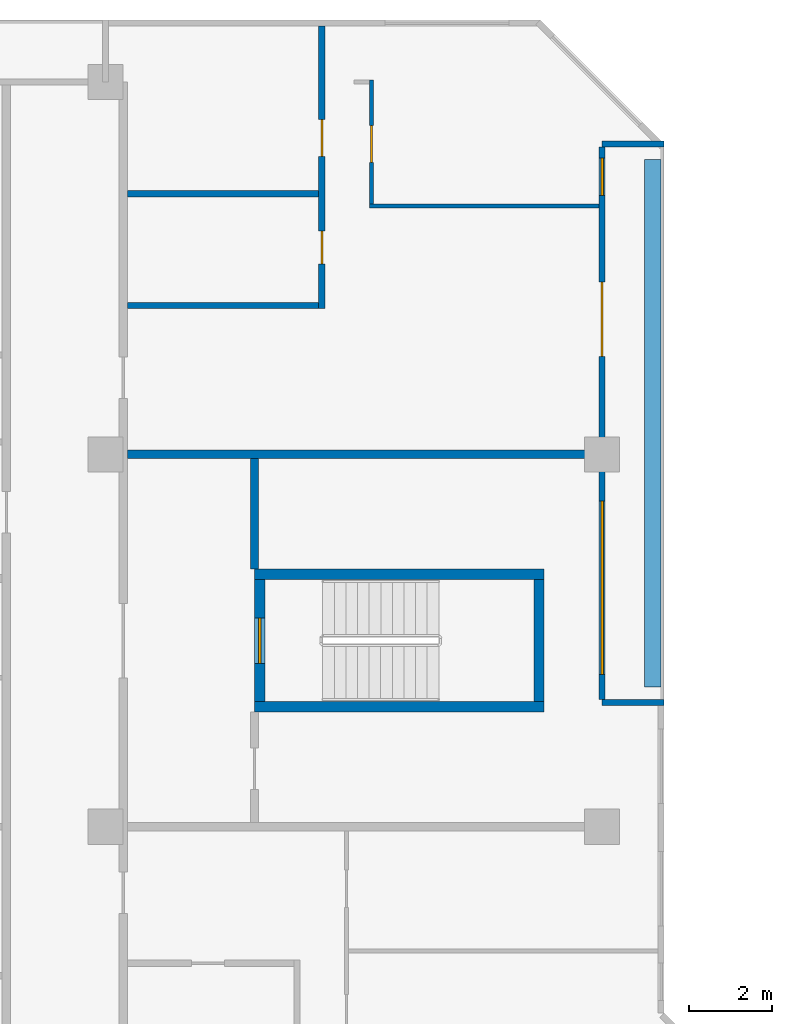
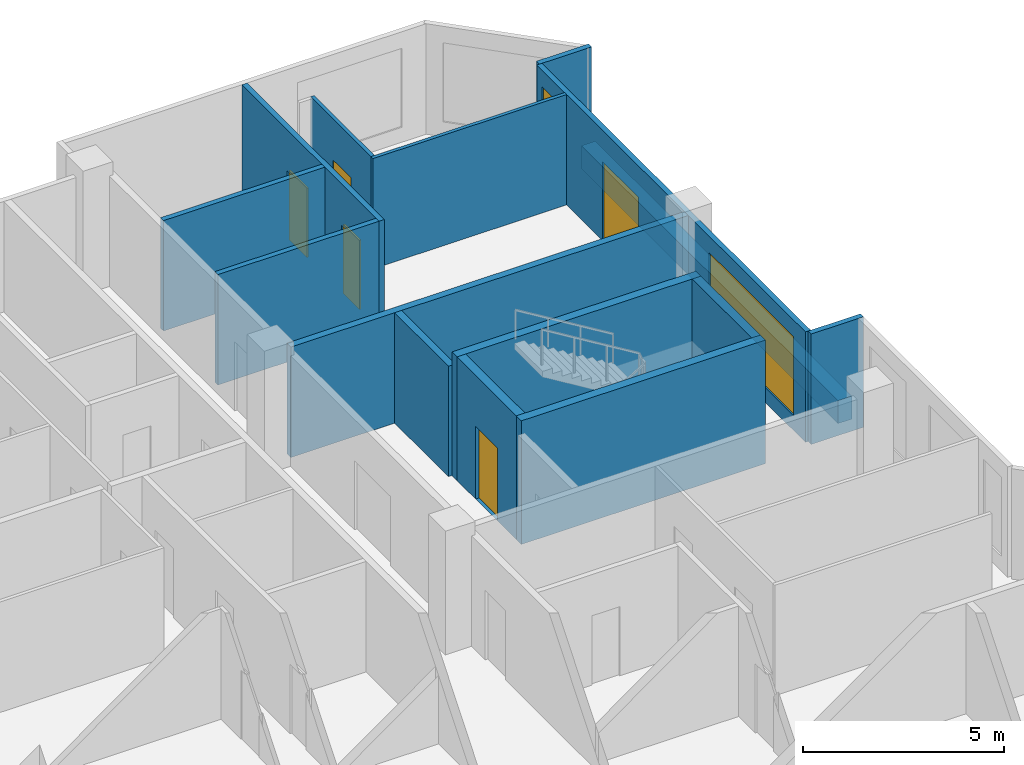
# One storey, part 11 of 16: 15 walls, 5 doors, 2 windows, 7 openings.
"""IFC4 building model written with IfcOpenShell, lengths in metres."""

from ifc_helpers import new_model, si_unit, direction, frame, frame_2d, origin, place, context, subcontext, project, spatial, rectangle, extrude, material, layer, layer_set, type_object, element, fill, save


model = new_model("IFC4")

# Units and contexts
model_context = context("Model", 3, precision=1e-05, world=origin(), true_north=direction((0.0, 1.0)))
body_context = subcontext(model_context, "Body", "Model", "MODEL_VIEW")
ifc_project = project(units=[si_unit("LENGTHUNIT", "METRE"), si_unit("AREAUNIT", "SQUARE_METRE"), si_unit("VOLUMEUNIT", "CUBIC_METRE"), si_unit("PLANEANGLEUNIT", "RADIAN"), si_unit("MASSUNIT", "GRAM", prefix="KILO")], contexts=[model_context])

# Site, building, storey
site_placement = place(None, origin())
site = spatial("IfcSite", under=ifc_project, at=site_placement, CompositionType="ELEMENT")
building_placement = place(site_placement, origin())
building = spatial("IfcBuilding", under=site, at=building_placement, Name="Chenar Terraces", CompositionType="ELEMENT")
storey_placement = place(building_placement, frame((0.0, 0.0, 222.89990234375)))
storey = spatial("IfcBuildingStorey", under=building, at=storey_placement, Name="L52", CompositionType="ELEMENT", Elevation=222.89990234375)

# Walls
ifc_material_1 = material(Name="Concrete C60/75", Category="concrete")
ifc_layer_1 = layer(ifc_material_1, 0.25)
ifc_layer_set_1 = layer_set([ifc_layer_1], Name="Concrete C60/75")
wall_type_1 = type_object("IfcWallType", Name="Core wall 250 Concrete C60/75", PredefinedType="SHEAR", material=ifc_layer_set_1)
for number, where, z_axis, x_axis, name in (
    (1, (15.60009765625, 47.89990234375, 0.0), (0.0, 0.0, 1.0), (1.0, 0.0, 0.0), "Core wall ST4_S L52"),
    (2, (15.60009765625, 51.10009765625, 0.0), (0.0, 0.0, 1.0), (1.0, 0.0, 0.0), "Core wall ST4_N L52"),
):
    element("IfcWall", number, at=place(storey_placement, frame(where, z_axis=z_axis, x_axis=x_axis)), inside=storey, type_object=wall_type_1, Name=name, PredefinedType="SHEAR", context=body_context, shape_type="SweptSolid", body=[
        extrude(rectangle(XDim=7.0, YDim=0.25, at=frame_2d((3.5, 0.0))), origin(), (0.0, 0.0, 1.0), 3.75),
    ])

# Wall, opening, door
wall_1_placement = place(storey_placement, frame((15.72509765625, 48.02490234375, 0.0), z_axis=(0.0, 0.0, 1.0), x_axis=(0.0, 1.0, 0.0)))
wall_1 = element("IfcWall", 3, at=wall_1_placement, inside=storey, type_object=wall_type_1, Name="Core wall ST4_W L52", PredefinedType="SHEAR", context=body_context, shape_type="SweptSolid", body=[
    extrude(rectangle(XDim=2.9501953125, YDim=0.25, at=frame_2d((1.47509765625, 0.0))), origin(), (0.0, 0.0, 1.0), 3.75),
])
opening_1_placement = place(wall_1_placement, frame((0.925048828125, 0.0, 0.0)))
opening_1 = element("IfcOpeningElement", 4, at=opening_1_placement, cuts=wall_1, Name="Opening DL52-C9", PredefinedType="OPENING", context=body_context, shape_type="SweptSolid", body=[
    extrude(rectangle(XDim=1.10009765625, YDim=2.199951171875, at=frame_2d((0.550048828125, 1.10009765625))), frame((0.0, 0.135009765625, 0.0), z_axis=(0.0, -1.0, 0.0), x_axis=(1.0, 0.0, 0.0)), (0.0, 0.0, 1.0), 0.27001953125),
])
ifc_material_2 = material(Name="Steel-framed fire-resisting door leaf", Category="steel")
door_type_1 = type_object("IfcDoorType", Name="Stair fire door FD60 1100 x 2200", OperationType="SINGLE_SWING_LEFT", PredefinedType="DOOR", material=ifc_material_2)
door_1_placement = place(opening_1_placement, frame((1.10009765625, 0.0, 0.0), z_axis=(0.0, 0.0, 1.0), x_axis=(-1.0, 0.0, 0.0)))
door_1 = element("IfcDoor", 5, at=door_1_placement, inside=storey, type_object=door_type_1, Name="Stair door DL52-C9", OperationType="SINGLE_SWING_RIGHT", OverallHeight=2.199951171875, OverallWidth=1.10009765625, PredefinedType="DOOR", context=body_context, shape_type="SweptSolid", body=[
    extrude(rectangle(XDim=1.10009765625, YDim=2.199951171875, at=frame_2d((0.550048828125, 1.10009765625))), frame((0.0, 0.02490234375, 0.0), z_axis=(0.0, -1.0, 0.0), x_axis=(1.0, 0.0, 0.0)), (0.0, 0.0, 1.0), 0.050048828125),
])
fill(opening_1, door_1)

# Walls
wall_2_placement = place(storey_placement, frame((22.47509765625, 48.02490234375, 0.0), z_axis=(0.0, 0.0, 1.0), x_axis=(0.0, 1.0, 0.0)))
element("IfcWall", 6, at=wall_2_placement, inside=storey, type_object=wall_type_1, Name="Core wall ST4_E L52", PredefinedType="SHEAR", context=body_context, shape_type="SweptSolid", body=[
    extrude(rectangle(XDim=2.9501953125, YDim=0.25, at=frame_2d((1.47509765625, 0.0))), origin(), (0.0, 0.0, 1.0), 3.75),
])
ifc_material_3 = material(Name="Gypsum board on steel studs with fire boards", Category="steel")
ifc_layer_2 = layer(ifc_material_3, 0.199951171875)
ifc_layer_set_2 = layer_set([ifc_layer_2], Name="Gypsum board on steel studs with fire boards")
wall_type_2 = type_object("IfcWallType", Name="Corridor wall 200", PredefinedType="PARTITIONING", material=ifc_layer_set_2)
wall_3_placement = place(storey_placement, frame((15.60009765625, 51.22509765625, 0.0), z_axis=(0.0, 0.0, 1.0), x_axis=(0.0, 1.0, 0.0)))
element("IfcWall", 7, at=wall_3_placement, inside=storey, type_object=wall_type_2, Name="Partition L52-048", PredefinedType="PARTITIONING", context=body_context, shape_type="SweptSolid", body=[
    extrude(rectangle(XDim=2.6748046875, YDim=0.199951171875, at=frame_2d((1.33740234375, 0.0))), origin(), (0.0, 0.0, 1.0), 3.35009765625),
])

# Wall, openings, windows, door
ifc_material_4 = material(Name="Aluminium framed glazing", Category="aluminium")
ifc_layer_3 = layer(ifc_material_4, 0.14990234375)
ifc_layer_set_3 = layer_set([ifc_layer_3], Name="Aluminium framed glazing")
wall_type_3 = type_object("IfcWallType", Name="Glazed loggia back wall 150", PredefinedType="SOLIDWALL", material=ifc_layer_set_3)
wall_4_placement = place(storey_placement, frame((24.0, 48.074951171875, 0.0), z_axis=(0.0, 0.0, 1.0), x_axis=(0.0, 1.0, 0.0)))
wall_4 = element("IfcWall", 8, at=wall_4_placement, inside=storey, type_object=wall_type_3, Name="Glazed loggia back wall", PredefinedType="SOLIDWALL", context=body_context, shape_type="SweptSolid", body=[
    extrude(rectangle(XDim=13.35009765625, YDim=0.14990234375, at=frame_2d((6.675048828125, 0.0))), origin(), (0.0, 0.0, 1.0), 3.35009765625),
])
opening_2_placement = place(wall_4_placement, frame((0.60009765625, 0.0, 0.449951171875)))
opening_2 = element("IfcOpeningElement", 9, at=opening_2_placement, cuts=wall_4, Name="Opening W420x240", PredefinedType="OPENING", context=body_context, shape_type="SweptSolid", body=[
    extrude(rectangle(XDim=4.199951171875, YDim=2.39990234375, at=frame_2d((2.10009765625, 1.199951171875))), frame((0.0, 0.0849609375, 0.0), z_axis=(0.0, -1.0, 0.0), x_axis=(1.0, 0.0, 0.0)), (0.0, 0.0, 1.0), 0.169921875),
])
opening_3_placement = place(wall_4_placement, frame((8.28759765625, 0.0, 0.0)))
opening_3 = element("IfcOpeningElement", 10, at=opening_3_placement, cuts=wall_4, Name="Opening DL52-G2", PredefinedType="OPENING", context=body_context, shape_type="SweptSolid", body=[
    extrude(rectangle(XDim=1.800048828125, YDim=2.39990234375, at=frame_2d((0.89990234375, 1.199951171875))), frame((0.0, 0.0849609375, 0.0), z_axis=(0.0, -1.0, 0.0), x_axis=(1.0, 0.0, 0.0)), (0.0, 0.0, 1.0), 0.169921875),
])
opening_4_placement = place(wall_4_placement, frame((12.1875, 0.0, 0.449951171875)))
opening_4 = element("IfcOpeningElement", 11, at=opening_4_placement, cuts=wall_4, Name="Opening W90x240", PredefinedType="OPENING", context=body_context, shape_type="SweptSolid", body=[
    extrude(rectangle(XDim=0.89990234375, YDim=2.39990234375, at=frame_2d((0.449951171875, 1.199951171875))), frame((0.0, 0.0849609375, 0.0), z_axis=(0.0, -1.0, 0.0), x_axis=(1.0, 0.0, 0.0)), (0.0, 0.0, 1.0), 0.169921875),
])
ifc_material_5 = material(Name="Low emissivity double glazing, aluminium frame", Category="aluminium")
window_type_1 = type_object("IfcWindowType", Name="Fixed light 4200 x 2400", PartitioningType="SINGLE_PANEL", PredefinedType="WINDOW", material=ifc_material_5)
window_1_placement = place(opening_2_placement, origin())
window_1 = element("IfcWindow", 12, at=window_1_placement, inside=storey, type_object=window_type_1, Name="Window", OverallHeight=2.39990234375, OverallWidth=4.199951171875, PartitioningType="SINGLE_PANEL", PredefinedType="WINDOW", context=body_context, shape_type="SweptSolid", body=[
    extrude(rectangle(XDim=4.199951171875, YDim=2.39990234375, at=frame_2d((2.10009765625, 1.199951171875))), frame((0.0, 0.030029296875, 0.0), z_axis=(0.0, -1.0, 0.0), x_axis=(1.0, 0.0, 0.0)), (0.0, 0.0, 1.0), 0.06005859375),
])
fill(opening_2, window_1)
ifc_material_6 = material(Name="Low emissivity double glazing, aluminium frame", Category="aluminium")
window_type_2 = type_object("IfcWindowType", Name="Fixed light 900 x 2400", PartitioningType="SINGLE_PANEL", PredefinedType="WINDOW", material=ifc_material_6)
window_2_placement = place(opening_4_placement, origin())
window_2 = element("IfcWindow", 13, at=window_2_placement, inside=storey, type_object=window_type_2, Name="Window", OverallHeight=2.39990234375, OverallWidth=0.89990234375, PartitioningType="SINGLE_PANEL", PredefinedType="WINDOW", context=body_context, shape_type="SweptSolid", body=[
    extrude(rectangle(XDim=0.89990234375, YDim=2.39990234375, at=frame_2d((0.449951171875, 1.199951171875))), frame((0.0, 0.030029296875, 0.0), z_axis=(0.0, -1.0, 0.0), x_axis=(1.0, 0.0, 0.0)), (0.0, 0.0, 1.0), 0.06005859375),
])
fill(opening_4, window_2)
ifc_material_7 = material(Name="Low emissivity double glazing, aluminium frame", Category="aluminium")
door_type_2 = type_object("IfcDoorType", Name="Loggia glazed double door 1800 x 2400", OperationType="DOUBLE_DOOR_SINGLE_SWING", PredefinedType="DOOR", material=ifc_material_7)
door_2_placement = place(opening_3_placement, frame((1.800048828125, 0.0, 0.0), z_axis=(0.0, 0.0, 1.0), x_axis=(-1.0, 0.0, 0.0)))
door_2 = element("IfcDoor", 14, at=door_2_placement, inside=storey, type_object=door_type_2, Name="Loggia glazed door", OperationType="DOUBLE_DOOR_SINGLE_SWING", OverallHeight=2.39990234375, OverallWidth=1.800048828125, PredefinedType="DOOR", context=body_context, shape_type="SweptSolid", body=[
    extrude(rectangle(XDim=1.800048828125, YDim=2.39990234375, at=frame_2d((0.89990234375, 1.199951171875))), frame((0.0, 0.02490234375, 0.0), z_axis=(0.0, -1.0, 0.0), x_axis=(1.0, 0.0, 0.0)), (0.0, 0.0, 1.0), 0.050048828125),
])
fill(opening_3, door_2)

# Wall
ifc_material_8 = material(Name="Gypsum board on steel studs", Category="steel")
ifc_layer_4 = layer(ifc_material_8, 0.10009765625)
ifc_layer_set_4 = layer_set([ifc_layer_4], Name="Gypsum board on steel studs")
wall_type_4 = type_object("IfcWallType", Name="Gypsum partition 100", PredefinedType="PARTITIONING", material=ifc_layer_set_4)
wall_5_placement = place(storey_placement, frame((18.375, 60.0, 0.0), z_axis=(0.0, 0.0, 1.0), x_axis=(1.0, 0.0, 0.0)))
element("IfcWall", 15, at=wall_5_placement, inside=storey, type_object=wall_type_4, Name="Partition L52-056", PredefinedType="PARTITIONING", context=body_context, shape_type="SweptSolid", body=[
    extrude(rectangle(XDim=5.551025390625, YDim=0.10009765625, at=frame_2d((2.775390625, 0.0))), origin(), (0.0, 0.0, 1.0), 3.35009765625),
])

# Wall, opening, door
wall_6_placement = place(storey_placement, frame((18.425048828125, 60.050048828125, 0.0), z_axis=(0.0, 0.0, 1.0), x_axis=(0.0, 1.0, 0.0)))
wall_6 = element("IfcWall", 16, at=wall_6_placement, inside=storey, type_object=wall_type_4, Name="Partition L52-057", PredefinedType="PARTITIONING", context=body_context, shape_type="SweptSolid", body=[
    extrude(rectangle(XDim=3.0, YDim=0.10009765625, at=frame_2d((1.5, 0.0))), origin(), (0.0, 0.0, 1.0), 3.35009765625),
])
opening_5_placement = place(wall_6_placement, frame((1.0, 0.0, 0.0)))
opening_5 = element("IfcOpeningElement", 17, at=opening_5_placement, cuts=wall_6, Name="Opening DL52-20", PredefinedType="OPENING", context=body_context, shape_type="SweptSolid", body=[
    extrude(rectangle(XDim=0.89990234375, YDim=2.10009765625, at=frame_2d((0.449951171875, 1.050048828125))), frame((0.0, 0.06005859375, 0.0), z_axis=(0.0, -1.0, 0.0), x_axis=(1.0, 0.0, 0.0)), (0.0, 0.0, 1.0), 0.1201171875),
])
ifc_material_9 = material(Name="Veneered timber door leaf", Category="wood")
door_type_3 = type_object("IfcDoorType", Name="Door 900 x 2100", OperationType="SINGLE_SWING_LEFT", PredefinedType="DOOR", material=ifc_material_9)
door_3_placement = place(opening_5_placement, frame((0.89990234375, 0.0, 0.0), z_axis=(0.0, 0.0, 1.0), x_axis=(-1.0, 0.0, 0.0)))
door_3 = element("IfcDoor", 18, at=door_3_placement, inside=storey, type_object=door_type_3, Name="Door DL52-20", OperationType="SINGLE_SWING_RIGHT", OverallHeight=2.10009765625, OverallWidth=0.89990234375, PredefinedType="DOOR", context=body_context, shape_type="SweptSolid", body=[
    extrude(rectangle(XDim=0.89990234375, YDim=2.10009765625, at=frame_2d((0.449951171875, 1.050048828125))), frame((0.0, 0.02490234375, 0.0), z_axis=(0.0, -1.0, 0.0), x_axis=(1.0, 0.0, 0.0)), (0.0, 0.0, 1.0), 0.050048828125),
])
fill(opening_5, door_3)

# Walls
ifc_material_10 = material(Name="Terracotta cladding on insulated backing", Category="masonry")
ifc_layer_5 = layer(ifc_material_10, 0.14990234375)
ifc_layer_set_5 = layer_set([ifc_layer_5], Name="Terracotta cladding on insulated backing")
wall_type_5 = type_object("IfcWallType", Name="Loggia return wall 150", PredefinedType="SOLIDWALL", material=ifc_layer_set_5)
for number, where, z_axis, x_axis, name in (
    (19, (25.5, 48.0, 0.0), (0.0, 0.0, 1.0), (-1.0, 0.0, 0.0), "Loggia return wall"),
    (20, (25.5, 61.5, 0.0), (0.0, 0.0, 1.0), (-1.0, 0.0, 0.0), "Loggia return wall"),
):
    element("IfcWall", number, at=place(storey_placement, frame(where, z_axis=z_axis, x_axis=x_axis)), inside=storey, type_object=wall_type_5, Name=name, PredefinedType="SOLIDWALL", context=body_context, shape_type="SweptSolid", body=[
        extrude(rectangle(XDim=1.5, YDim=0.14990234375, at=frame_2d((0.75, 0.0))), origin(), (0.0, 0.0, 1.0), 3.35009765625),
    ])
ifc_material_11 = material(Name="Twin gypsum board on steel studs with mineral wool", Category="steel")
ifc_layer_6 = layer(ifc_material_11, 0.199951171875)
ifc_layer_set_6 = layer_set([ifc_layer_6], Name="Twin gypsum board on steel studs with mineral wool")
wall_type_6 = type_object("IfcWallType", Name="Unit demising wall 200", PredefinedType="PARTITIONING", material=ifc_layer_set_6)
wall_7_placement = place(storey_placement, frame((12.52490234375, 54.0, 0.0), z_axis=(0.0, 0.0, 1.0), x_axis=(1.0, 0.0, 0.0)))
element("IfcWall", 21, at=wall_7_placement, inside=storey, type_object=wall_type_6, Name="Partition L52-043", PredefinedType="PARTITIONING", context=body_context, shape_type="SweptSolid", body=[
    extrude(rectangle(XDim=11.401123046875, YDim=0.199951171875, at=frame_2d((5.70068359375, 0.0))), origin(), (0.0, 0.0, 1.0), 3.35009765625),
])
ifc_material_12 = material(Name="GRP planter trough")
ifc_layer_7 = layer(ifc_material_12, 0.39990234375)
ifc_layer_set_7 = layer_set([ifc_layer_7], Name="GRP planter trough")
wall_type_7 = type_object("IfcWallType", Name="Vertical greenery planter 400", PredefinedType="SOLIDWALL", material=ifc_layer_set_7)
wall_8_placement = place(storey_placement, frame((25.22900390625, 48.375, 0.0), z_axis=(0.0, 0.0, 1.0), x_axis=(0.0, 1.0, 0.0)))
element("IfcWall", 22, at=wall_8_placement, inside=storey, type_object=wall_type_7, Name="Vertical greenery planter", PredefinedType="SOLIDWALL", context=body_context, shape_type="SweptSolid", body=[
    extrude(rectangle(XDim=12.75, YDim=0.39990234375, at=frame_2d((6.375, 0.0))), origin(), (0.0, 0.0, 1.0), 0.7001953125),
])
ifc_material_13 = material(Name="Moisture-resistant gypsum board on steel studs", Category="steel")
ifc_layer_8 = layer(ifc_material_13, 0.14990234375)
ifc_layer_set_8 = layer_set([ifc_layer_8], Name="Moisture-resistant gypsum board on steel studs")
wall_type_8 = type_object("IfcWallType", Name="Wet-room partition 150", PredefinedType="PARTITIONING", material=ifc_layer_set_8)
for number, where, z_axis, x_axis, name in (
    (23, (12.52490234375, 57.60009765625, 0.0), (0.0, 0.0, 1.0), (1.0, 0.0, 0.0), "Partition L52-044"),
    (24, (12.52490234375, 60.300048828125, 0.0), (0.0, 0.0, 1.0), (1.0, 0.0, 0.0), "Partition L52-045"),
):
    element("IfcWall", number, at=place(storey_placement, frame(where, z_axis=z_axis, x_axis=x_axis)), inside=storey, type_object=wall_type_8, Name=name, PredefinedType="PARTITIONING", context=body_context, shape_type="SweptSolid", body=[
        extrude(rectangle(XDim=4.625, YDim=0.14990234375, at=frame_2d((2.3125, 0.0))), origin(), (0.0, 0.0, 1.0), 3.35009765625),
    ])

# Wall, openings, doors
wall_9_placement = place(storey_placement, frame((17.22509765625, 57.52490234375, 0.0), z_axis=(0.0, 0.0, 1.0), x_axis=(0.0, 1.0, 0.0)))
wall_9 = element("IfcWall", 25, at=wall_9_placement, inside=storey, type_object=wall_type_8, Name="Partition L52-050", PredefinedType="PARTITIONING", context=body_context, shape_type="SweptSolid", body=[
    extrude(rectangle(XDim=6.8251953125, YDim=0.14990234375, at=frame_2d((3.41259765625, 0.0))), origin(), (0.0, 0.0, 1.0), 3.35009765625),
])
opening_6_placement = place(wall_9_placement, frame((1.074951171875, 0.0, 0.0)))
opening_6 = element("IfcOpeningElement", 26, at=opening_6_placement, cuts=wall_9, Name="Opening DL52-19", PredefinedType="OPENING", context=body_context, shape_type="SweptSolid", body=[
    extrude(rectangle(XDim=0.800048828125, YDim=2.10009765625, at=frame_2d((0.39990234375, 1.050048828125))), frame((0.0, 0.0849609375, 0.0), z_axis=(0.0, -1.0, 0.0), x_axis=(1.0, 0.0, 0.0)), (0.0, 0.0, 1.0), 0.169921875),
])
opening_7_placement = place(wall_9_placement, frame((3.675048828125, 0.0, 0.0)))
opening_7 = element("IfcOpeningElement", 27, at=opening_7_placement, cuts=wall_9, Name="Opening DL52-21", PredefinedType="OPENING", context=body_context, shape_type="SweptSolid", body=[
    extrude(rectangle(XDim=0.89990234375, YDim=2.10009765625, at=frame_2d((0.449951171875, 1.050048828125))), frame((0.0, 0.0849609375, 0.0), z_axis=(0.0, -1.0, 0.0), x_axis=(1.0, 0.0, 0.0)), (0.0, 0.0, 1.0), 0.169921875),
])
ifc_material_14 = material(Name="Veneered timber door leaf", Category="wood")
door_type_4 = type_object("IfcDoorType", Name="Door 800 x 2100", OperationType="SINGLE_SWING_LEFT", PredefinedType="DOOR", material=ifc_material_14)
door_4_placement = place(opening_6_placement, origin())
door_4 = element("IfcDoor", 28, at=door_4_placement, inside=storey, type_object=door_type_4, Name="Door DL52-19", OperationType="SINGLE_SWING_RIGHT", OverallHeight=2.10009765625, OverallWidth=0.800048828125, PredefinedType="DOOR", context=body_context, shape_type="SweptSolid", body=[
    extrude(rectangle(XDim=0.800048828125, YDim=2.10009765625, at=frame_2d((0.39990234375, 1.050048828125))), frame((0.0, 0.02490234375, 0.0), z_axis=(0.0, -1.0, 0.0), x_axis=(1.0, 0.0, 0.0)), (0.0, 0.0, 1.0), 0.050048828125),
])
fill(opening_6, door_4)
door_5_placement = place(opening_7_placement, origin())
door_5 = element("IfcDoor", 29, at=door_5_placement, inside=storey, type_object=door_type_3, Name="Door DL52-21", OperationType="SINGLE_SWING_LEFT", OverallHeight=2.10009765625, OverallWidth=0.89990234375, PredefinedType="DOOR", context=body_context, shape_type="SweptSolid", body=[
    extrude(rectangle(XDim=0.89990234375, YDim=2.10009765625, at=frame_2d((0.449951171875, 1.050048828125))), frame((0.0, 0.02490234375, 0.0), z_axis=(0.0, -1.0, 0.0), x_axis=(1.0, 0.0, 0.0)), (0.0, 0.0, 1.0), 0.050048828125),
])
fill(opening_7, door_5)

save(model, "model.ifc")
